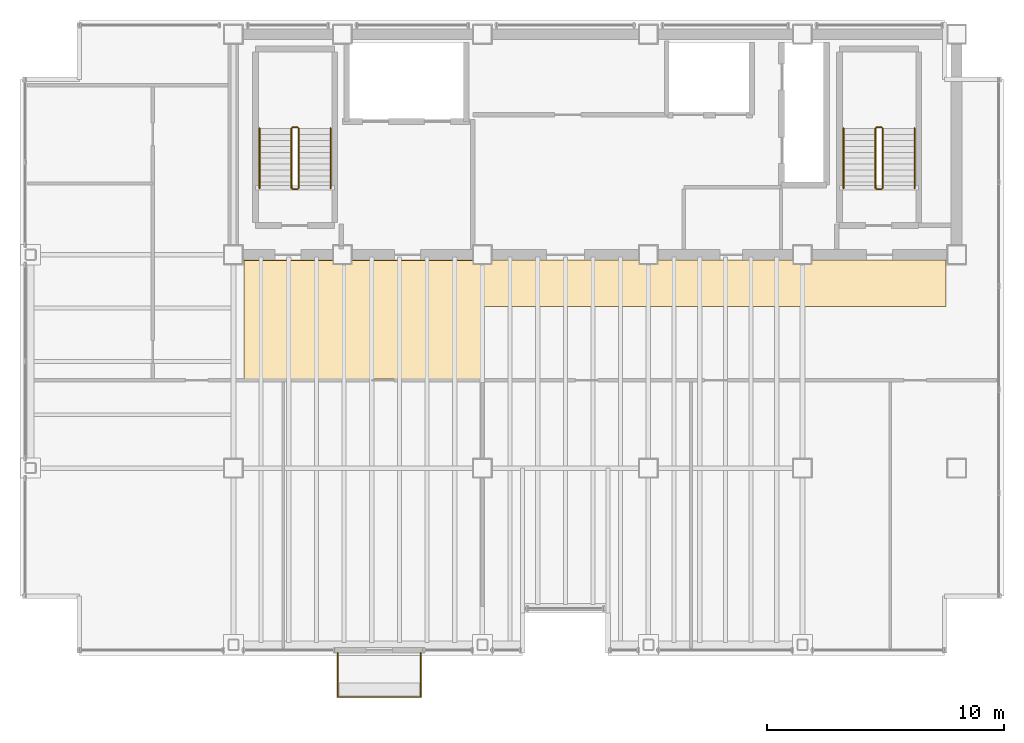
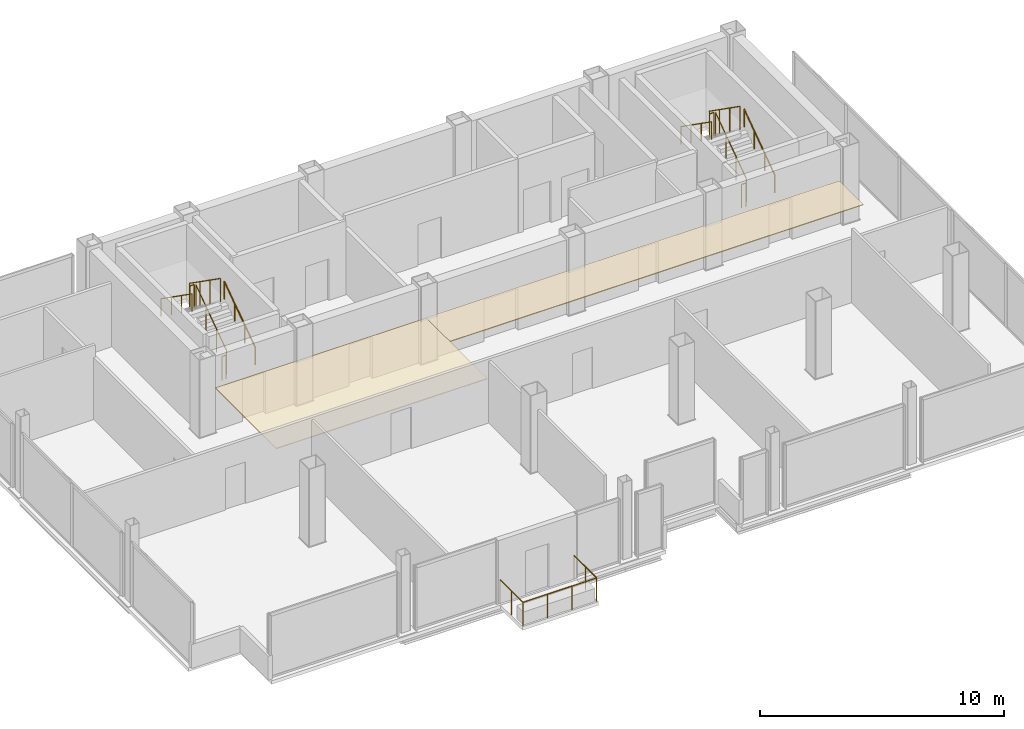
# One storey, part 16 of 16: 13 railings, 2 coverings.
"""IFC4 building model written with IfcOpenShell, lengths in metres."""

from ifc_helpers import new_model, si_unit, direction, frame, origin, origin_2d, place, context, subcontext, project, spatial, polyline, circle, outline, extrude, material, layer, layer_set, type_object, element, save


model = new_model("IFC4")

# Units and contexts
model_context = context("Model", 3, precision=1e-05, world=origin(), true_north=direction((0.0, 1.0)))
body_context = subcontext(model_context, "Body", "Model", "MODEL_VIEW")
ifc_project = project(units=[si_unit("LENGTHUNIT", "METRE"), si_unit("AREAUNIT", "SQUARE_METRE"), si_unit("VOLUMEUNIT", "CUBIC_METRE"), si_unit("PLANEANGLEUNIT", "RADIAN"), si_unit("MASSUNIT", "GRAM", prefix="KILO")], contexts=[model_context])

# Site, building, storey
site_placement = place(None, origin())
site = spatial("IfcSite", under=ifc_project, at=site_placement, CompositionType="ELEMENT")
building_placement = place(site_placement, origin())
building = spatial("IfcBuilding", under=site, at=building_placement, Name="Noeulbin Bourse Tower", CompositionType="ELEMENT")
storey_placement = place(building_placement, frame((0.0, 0.0, 234.5)))
storey = spatial("IfcBuildingStorey", under=building, at=storey_placement, Name="L58", CompositionType="ELEMENT", Elevation=234.5)

# Coverings
ifc_material_1 = material(Name="Perforated Mineral-Fibre Acoustic Tile")
ifc_layer_1 = layer(ifc_material_1, 0.0400390625)
ifc_layer_set_1 = layer_set([ifc_layer_1], Name="Perforated Mineral-Fibre Acoustic Tile")
covering_type_1 = type_object("IfcCoveringType", Name="COV-CEIL-ACT", PredefinedType="CEILING", material=ifc_layer_set_1)
covering_1_placement = place(storey_placement, frame((0.0, 0.0, 2.110107421875)))
element("IfcCovering", 1, at=covering_1_placement, inside=storey, type_object=covering_type_1, Name="Trading Suite Acoustic Ceiling L58", PredefinedType="CEILING", context=body_context, shape_type="SweptSolid", body=[
    extrude(outline(polyline([(13.949951171875, 23.75), (23.949951171875, 23.75), (23.949951171875, 28.75), (13.949951171875, 28.75), (13.949951171875, 23.75)])), origin(), (0.0, 0.0, 1.0), 0.039794921875),
])
ifc_material_2 = material(Name="Linear Anodised Aluminium Baffle Ceiling", Category="aluminium")
ifc_layer_2 = layer(ifc_material_2, 0.050048828125)
ifc_layer_set_2 = layer_set([ifc_layer_2], Name="Linear Anodised Aluminium Baffle Ceiling")
covering_type_2 = type_object("IfcCoveringType", Name="COV-CEIL-MTL", PredefinedType="CEILING", material=ifc_layer_set_2)
covering_2_placement = place(storey_placement, frame((0.0, 0.0, 2.110107421875)))
element("IfcCovering", 2, at=covering_2_placement, inside=storey, type_object=covering_type_2, Name="Corridor Suspended Ceiling L58", PredefinedType="CEILING", context=body_context, shape_type="SweptSolid", body=[
    extrude(outline(polyline([(13.949951171875, 26.820068359375), (43.550048828125, 26.820068359375), (43.550048828125, 28.780029296875), (13.949951171875, 28.780029296875), (13.949951171875, 26.820068359375)])), origin(), (0.0, 0.0, 1.0), 0.039794921875),
])

# Railings
ifc_material_3 = material(Name="Laminated SentryGlas and Stainless Steel 316", Category="steel")
ifc_layer_3 = layer(ifc_material_3, 0.06005859375)
ifc_layer_set_3 = layer_set([ifc_layer_3], Name="Laminated SentryGlas and Stainless Steel 316")
railing_type_1 = type_object("IfcRailingType", Name="RLG-BAL-1200", PredefinedType="BALUSTRADE", material=ifc_layer_set_3)
railing_1_placement = place(storey_placement, frame((17.89990234375, 12.219970703125, 0.0)))
element("IfcRailing", 3, at=railing_1_placement, inside=storey, type_object=railing_type_1, Name="Tree-Balcony Glazed Balustrade L58", PredefinedType="BALUSTRADE", context=body_context, shape_type="SweptSolid", body=[
    extrude(circle(Radius=0.02392578125, at=origin_2d()), frame((0.0, 0.0, 1.17578125), z_axis=(0.0, -1.0, 0.0), x_axis=(1.0, 0.0, 0.0)), (0.0, 0.0, 1.0), 1.869873046875),
    extrude(circle(Radius=0.02392578125, at=origin_2d()), frame((0.0, -1.869873046875, 1.17578125), z_axis=(1.0, 0.0, 0.0), x_axis=(0.0, 1.0, 0.0)), (0.0, 0.0, 1.0), 3.5),
    extrude(circle(Radius=0.02392578125, at=origin_2d()), frame((3.5, -1.869873046875, 1.17578125), z_axis=(0.0, 1.0, 0.0), x_axis=(-1.0, 0.0, 0.0)), (0.0, 0.0, 1.0), 1.869873046875),
    extrude(circle(Radius=0.02099609375, at=origin_2d()), origin(), (0.0, 0.0, 1.0), 1.15185546875),
    extrude(circle(Radius=0.02099609375, at=origin_2d()), frame((0.0, -0.93505859375, 0.0)), (0.0, 0.0, 1.0), 1.15185546875),
    extrude(circle(Radius=0.02099609375, at=origin_2d()), frame((0.0, -1.869873046875, 0.0)), (0.0, 0.0, 1.0), 1.15185546875),
    extrude(circle(Radius=0.02099609375, at=origin_2d()), frame((1.166748046875, -1.869873046875, 0.0)), (0.0, 0.0, 1.0), 1.15185546875),
    extrude(circle(Radius=0.02099609375, at=origin_2d()), frame((2.333251953125, -1.869873046875, 0.0)), (0.0, 0.0, 1.0), 1.15185546875),
    extrude(circle(Radius=0.02099609375, at=origin_2d()), frame((3.5, -1.869873046875, 0.0)), (0.0, 0.0, 1.0), 1.15185546875),
    extrude(circle(Radius=0.02099609375, at=origin_2d()), frame((3.5, -0.93505859375, 0.0)), (0.0, 0.0, 1.0), 1.15185546875),
    extrude(circle(Radius=0.02099609375, at=origin_2d()), frame((3.5, 0.0, 0.0)), (0.0, 0.0, 1.0), 1.15185546875),
])
ifc_material_4 = material(Name="Painted Tubular Steel S355", Category="steel")
ifc_layer_4 = layer(ifc_material_4, 0.048095703125)
ifc_layer_set_4 = layer_set([ifc_layer_4], Name="Painted Tubular Steel S355")
railing_type_2 = type_object("IfcRailingType", Name="RLG-STR-GRD", PredefinedType="GUARDRAIL", material=ifc_layer_set_4)
railing_2_placement = place(storey_placement, frame((16.25, 31.81005859375, 0.17724609375)))
element("IfcRailing", 4, at=railing_2_placement, inside=storey, type_object=railing_type_2, Name="L58 ST-1 stair guard 1", PredefinedType="GUARDRAIL", context=body_context, shape_type="SweptSolid", body=[
    extrude(circle(Radius=0.02392578125, at=origin_2d()), frame((0.0, 0.0, 1.17578125), z_axis=(0.0, 0.817904474719, 0.575354039036), x_axis=(-1.0, 0.0, 0.0)), (0.0, 0.0, 1.0), 3.0810546875),
    extrude(circle(Radius=0.02099609375, at=origin_2d()), origin(), (0.0, 0.0, 1.0), 1.15185546875),
    extrude(circle(Radius=0.02099609375, at=origin_2d()), frame((0.0, 0.840087890625, 0.5908203125)), (0.0, 0.0, 1.0), 1.15185546875),
    extrude(circle(Radius=0.02099609375, at=origin_2d()), frame((0.0, 1.679931640625, 1.181884765625)), (0.0, 0.0, 1.0), 1.15185546875),
    extrude(circle(Radius=0.02099609375, at=origin_2d()), frame((0.0, 2.52001953125, 1.772705078125)), (0.0, 0.0, 1.0), 1.15185546875),
])
railing_3_placement = place(storey_placement, frame((16.199951171875, 34.3798828125, 1.949951171875)))
element("IfcRailing", 5, at=railing_3_placement, inside=storey, type_object=railing_type_2, Name="L58 ST-1 stair guard 2", PredefinedType="GUARDRAIL", context=body_context, shape_type="SweptSolid", body=[
    extrude(circle(Radius=0.02392578125, at=origin_2d()), frame((0.0, 0.0, 1.17578125), z_axis=(-1.0, 0.0, 0.0), x_axis=(0.0, -1.0, 0.0)), (0.0, 0.0, 1.0), 0.199951171875),
    extrude(circle(Radius=0.02099609375, at=origin_2d()), origin(), (0.0, 0.0, 1.0), 1.15185546875),
    extrude(circle(Radius=0.02099609375, at=origin_2d()), frame((-0.199951171875, 0.0, 0.0)), (0.0, 0.0, 1.0), 1.15185546875),
])
railing_4_placement = place(storey_placement, frame((15.949951171875, 34.330078125, 2.127197265625)))
element("IfcRailing", 6, at=railing_4_placement, inside=storey, type_object=railing_type_2, Name="L58 ST-1 stair guard 3", PredefinedType="GUARDRAIL", context=body_context, shape_type="SweptSolid", body=[
    extrude(circle(Radius=0.02392578125, at=origin_2d()), frame((0.0, 0.0, 1.17578125), z_axis=(0.0, -0.817904474719, 0.575354039036), x_axis=(1.0, 0.0, 0.0)), (0.0, 0.0, 1.0), 3.0810546875),
    extrude(circle(Radius=0.02099609375, at=origin_2d()), origin(), (0.0, 0.0, 1.0), 1.15185546875),
    extrude(circle(Radius=0.02099609375, at=origin_2d()), frame((0.0, -0.840087890625, 0.5908203125)), (0.0, 0.0, 1.0), 1.15185546875),
    extrude(circle(Radius=0.02099609375, at=origin_2d()), frame((0.0, -1.679931640625, 1.181884765625)), (0.0, 0.0, 1.0), 1.15185546875),
    extrude(circle(Radius=0.02099609375, at=origin_2d()), frame((0.0, -2.52001953125, 1.772705078125)), (0.0, 0.0, 1.0), 1.15185546875),
])
railing_5_placement = place(storey_placement, frame((16.199951171875, 31.760009765625, 0.0)))
element("IfcRailing", 7, at=railing_5_placement, inside=storey, type_object=railing_type_2, Name="L58 ST-1 stair guard 4", PredefinedType="GUARDRAIL", context=body_context, shape_type="SweptSolid", body=[
    extrude(circle(Radius=0.02392578125, at=origin_2d()), frame((0.0, 0.0, 1.17578125), z_axis=(-1.0, 0.0, 0.0), x_axis=(0.0, -1.0, 0.0)), (0.0, 0.0, 1.0), 0.199951171875),
    extrude(circle(Radius=0.02099609375, at=origin_2d()), origin(), (0.0, 0.0, 1.0), 1.15185546875),
    extrude(circle(Radius=0.02099609375, at=origin_2d()), frame((-0.199951171875, 0.0, 0.0)), (0.0, 0.0, 1.0), 1.15185546875),
])
railing_6_placement = place(storey_placement, frame((40.8798828125, 31.81005859375, 0.17724609375)))
element("IfcRailing", 8, at=railing_6_placement, inside=storey, type_object=railing_type_2, Name="L58 ST-2 stair guard 1", PredefinedType="GUARDRAIL", context=body_context, shape_type="SweptSolid", body=[
    extrude(circle(Radius=0.02392578125, at=origin_2d()), frame((0.0, 0.0, 1.17578125), z_axis=(0.0, 0.817904474719, 0.575354039036), x_axis=(-1.0, 0.0, 0.0)), (0.0, 0.0, 1.0), 3.0810546875),
    extrude(circle(Radius=0.02099609375, at=origin_2d()), origin(), (0.0, 0.0, 1.0), 1.15185546875),
    extrude(circle(Radius=0.02099609375, at=origin_2d()), frame((0.0, 0.840087890625, 0.5908203125)), (0.0, 0.0, 1.0), 1.15185546875),
    extrude(circle(Radius=0.02099609375, at=origin_2d()), frame((0.0, 1.679931640625, 1.181884765625)), (0.0, 0.0, 1.0), 1.15185546875),
    extrude(circle(Radius=0.02099609375, at=origin_2d()), frame((0.0, 2.52001953125, 1.772705078125)), (0.0, 0.0, 1.0), 1.15185546875),
])
railing_7_placement = place(storey_placement, frame((40.830078125, 34.3798828125, 1.949951171875)))
element("IfcRailing", 9, at=railing_7_placement, inside=storey, type_object=railing_type_2, Name="L58 ST-2 stair guard 2", PredefinedType="GUARDRAIL", context=body_context, shape_type="SweptSolid", body=[
    extrude(circle(Radius=0.02392578125, at=origin_2d()), frame((0.0, 0.0, 1.17578125), z_axis=(-1.0, 0.0, 0.0), x_axis=(0.0, -1.0, 0.0)), (0.0, 0.0, 1.0), 0.2001953125),
    extrude(circle(Radius=0.02099609375, at=origin_2d()), origin(), (0.0, 0.0, 1.0), 1.15185546875),
    extrude(circle(Radius=0.02099609375, at=origin_2d()), frame((-0.2001953125, 0.0, 0.0)), (0.0, 0.0, 1.0), 1.15185546875),
])
railing_8_placement = place(storey_placement, frame((40.580078125, 34.330078125, 2.127197265625)))
element("IfcRailing", 10, at=railing_8_placement, inside=storey, type_object=railing_type_2, Name="L58 ST-2 stair guard 3", PredefinedType="GUARDRAIL", context=body_context, shape_type="SweptSolid", body=[
    extrude(circle(Radius=0.02392578125, at=origin_2d()), frame((0.0, 0.0, 1.17578125), z_axis=(0.0, -0.817904474719, 0.575354039036), x_axis=(1.0, 0.0, 0.0)), (0.0, 0.0, 1.0), 3.0810546875),
    extrude(circle(Radius=0.02099609375, at=origin_2d()), origin(), (0.0, 0.0, 1.0), 1.15185546875),
    extrude(circle(Radius=0.02099609375, at=origin_2d()), frame((0.0, -0.840087890625, 0.5908203125)), (0.0, 0.0, 1.0), 1.15185546875),
    extrude(circle(Radius=0.02099609375, at=origin_2d()), frame((0.0, -1.679931640625, 1.181884765625)), (0.0, 0.0, 1.0), 1.15185546875),
    extrude(circle(Radius=0.02099609375, at=origin_2d()), frame((0.0, -2.52001953125, 1.772705078125)), (0.0, 0.0, 1.0), 1.15185546875),
])
railing_9_placement = place(storey_placement, frame((40.830078125, 31.760009765625, 0.0)))
element("IfcRailing", 11, at=railing_9_placement, inside=storey, type_object=railing_type_2, Name="L58 ST-2 stair guard 4", PredefinedType="GUARDRAIL", context=body_context, shape_type="SweptSolid", body=[
    extrude(circle(Radius=0.02392578125, at=origin_2d()), frame((0.0, 0.0, 1.17578125), z_axis=(-1.0, 0.0, 0.0), x_axis=(0.0, -1.0, 0.0)), (0.0, 0.0, 1.0), 0.2001953125),
    extrude(circle(Radius=0.02099609375, at=origin_2d()), origin(), (0.0, 0.0, 1.0), 1.15185546875),
    extrude(circle(Radius=0.02099609375, at=origin_2d()), frame((-0.2001953125, 0.0, 0.0)), (0.0, 0.0, 1.0), 1.15185546875),
])
ifc_material_5 = material(Name="Brushed Stainless Steel 316", Category="steel")
ifc_layer_5 = layer(ifc_material_5, 0.048095703125)
ifc_layer_set_5 = layer_set([ifc_layer_5], Name="Brushed Stainless Steel 316")
railing_type_3 = type_object("IfcRailingType", Name="RLG-STR-HND", PredefinedType="HANDRAIL", material=ifc_layer_set_5)
railing_10_placement = place(storey_placement, frame((17.60009765625, 31.81005859375, 0.17724609375)))
element("IfcRailing", 12, at=railing_10_placement, inside=storey, type_object=railing_type_3, Name="L58 ST-1 stair handrail 1", PredefinedType="HANDRAIL", context=body_context, shape_type="SweptSolid", body=[
    extrude(circle(Radius=0.02392578125, at=origin_2d()), frame((0.0, 0.0, 0.8759765625), z_axis=(0.0, 0.817904474719, 0.575354039036), x_axis=(-1.0, 0.0, 0.0)), (0.0, 0.0, 1.0), 3.0810546875),
    extrude(circle(Radius=0.02099609375, at=origin_2d()), origin(), (0.0, 0.0, 1.0), 0.851806640625),
    extrude(circle(Radius=0.02099609375, at=origin_2d()), frame((0.0, 0.840087890625, 0.5908203125)), (0.0, 0.0, 1.0), 0.851806640625),
    extrude(circle(Radius=0.02099609375, at=origin_2d()), frame((0.0, 1.679931640625, 1.181884765625)), (0.0, 0.0, 1.0), 0.851806640625),
    extrude(circle(Radius=0.02099609375, at=origin_2d()), frame((0.0, 2.52001953125, 1.772705078125)), (0.0, 0.0, 1.0), 0.851806640625),
])
railing_11_placement = place(storey_placement, frame((14.60009765625, 34.330078125, 2.127197265625)))
element("IfcRailing", 13, at=railing_11_placement, inside=storey, type_object=railing_type_3, Name="L58 ST-1 stair handrail 2", PredefinedType="HANDRAIL", context=body_context, shape_type="SweptSolid", body=[
    extrude(circle(Radius=0.02392578125, at=origin_2d()), frame((0.0, 0.0, 0.8759765625), z_axis=(0.0, -0.817904474719, 0.575354039036), x_axis=(1.0, 0.0, 0.0)), (0.0, 0.0, 1.0), 3.0810546875),
    extrude(circle(Radius=0.02099609375, at=origin_2d()), origin(), (0.0, 0.0, 1.0), 0.851806640625),
    extrude(circle(Radius=0.02099609375, at=origin_2d()), frame((0.0, -0.840087890625, 0.5908203125)), (0.0, 0.0, 1.0), 0.851806640625),
    extrude(circle(Radius=0.02099609375, at=origin_2d()), frame((0.0, -1.679931640625, 1.181884765625)), (0.0, 0.0, 1.0), 0.851806640625),
    extrude(circle(Radius=0.02099609375, at=origin_2d()), frame((0.0, -2.52001953125, 1.772705078125)), (0.0, 0.0, 1.0), 0.851806640625),
])
railing_12_placement = place(storey_placement, frame((42.22998046875, 31.81005859375, 0.17724609375)))
element("IfcRailing", 14, at=railing_12_placement, inside=storey, type_object=railing_type_3, Name="L58 ST-2 stair handrail 1", PredefinedType="HANDRAIL", context=body_context, shape_type="SweptSolid", body=[
    extrude(circle(Radius=0.02392578125, at=origin_2d()), frame((0.0, 0.0, 0.8759765625), z_axis=(0.0, 0.817904474719, 0.575354039036), x_axis=(-1.0, 0.0, 0.0)), (0.0, 0.0, 1.0), 3.0810546875),
    extrude(circle(Radius=0.02099609375, at=origin_2d()), origin(), (0.0, 0.0, 1.0), 0.851806640625),
    extrude(circle(Radius=0.02099609375, at=origin_2d()), frame((0.0, 0.840087890625, 0.5908203125)), (0.0, 0.0, 1.0), 0.851806640625),
    extrude(circle(Radius=0.02099609375, at=origin_2d()), frame((0.0, 1.679931640625, 1.181884765625)), (0.0, 0.0, 1.0), 0.851806640625),
    extrude(circle(Radius=0.02099609375, at=origin_2d()), frame((0.0, 2.52001953125, 1.772705078125)), (0.0, 0.0, 1.0), 0.851806640625),
])
railing_13_placement = place(storey_placement, frame((39.22998046875, 34.330078125, 2.127197265625)))
element("IfcRailing", 15, at=railing_13_placement, inside=storey, type_object=railing_type_3, Name="L58 ST-2 stair handrail 2", PredefinedType="HANDRAIL", context=body_context, shape_type="SweptSolid", body=[
    extrude(circle(Radius=0.02392578125, at=origin_2d()), frame((0.0, 0.0, 0.8759765625), z_axis=(0.0, -0.817904474719, 0.575354039036), x_axis=(1.0, 0.0, 0.0)), (0.0, 0.0, 1.0), 3.0810546875),
    extrude(circle(Radius=0.02099609375, at=origin_2d()), origin(), (0.0, 0.0, 1.0), 0.851806640625),
    extrude(circle(Radius=0.02099609375, at=origin_2d()), frame((0.0, -0.840087890625, 0.5908203125)), (0.0, 0.0, 1.0), 0.851806640625),
    extrude(circle(Radius=0.02099609375, at=origin_2d()), frame((0.0, -1.679931640625, 1.181884765625)), (0.0, 0.0, 1.0), 0.851806640625),
    extrude(circle(Radius=0.02099609375, at=origin_2d()), frame((0.0, -2.52001953125, 1.772705078125)), (0.0, 0.0, 1.0), 0.851806640625),
])

save(model, "model.ifc")
